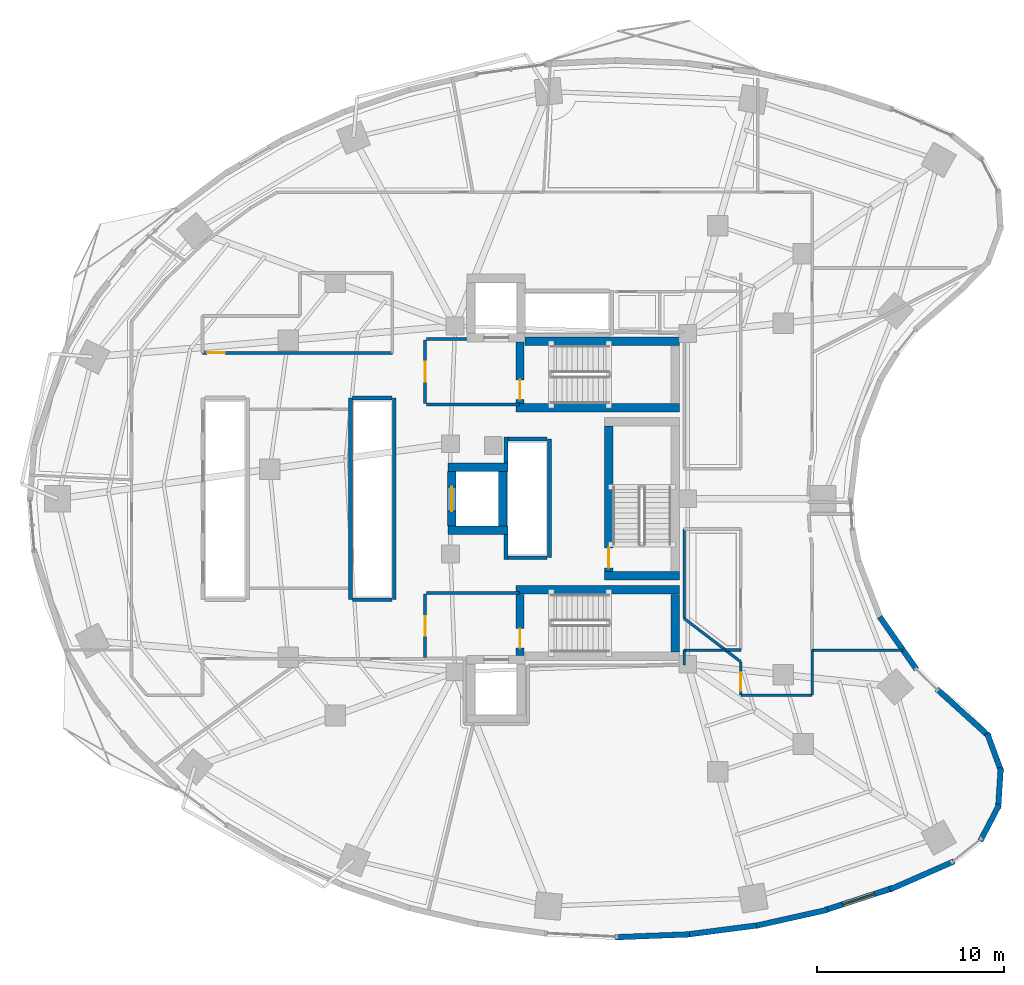
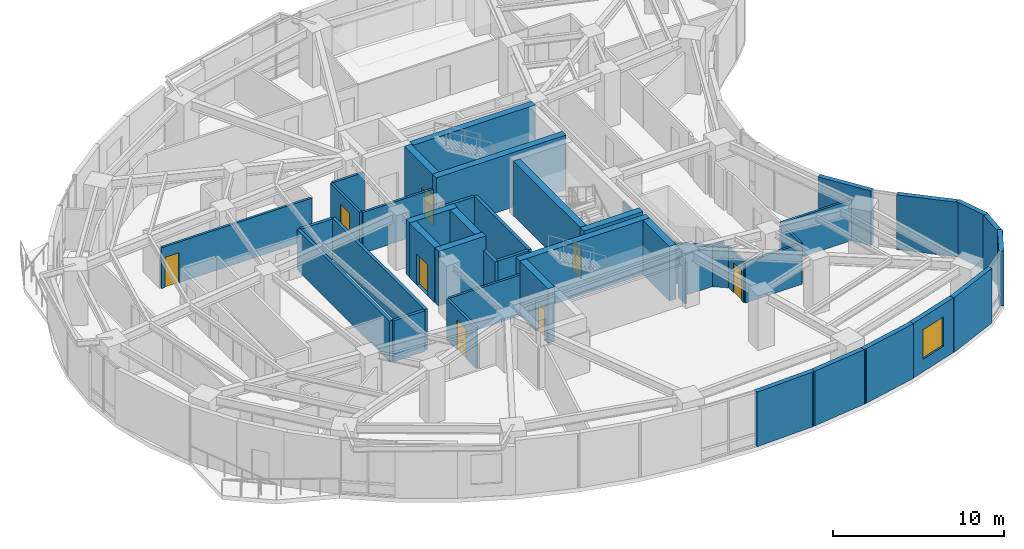
# One storey, part 9 of 15: 47 walls, 8 doors, 1 window, 9 openings.
"""IFC4 building model written with IfcOpenShell, lengths in metres."""

from ifc_helpers import new_model, si_unit, direction, frame, frame_2d, origin, place, context, subcontext, project, spatial, rectangle, extrude, material, layer, layer_set, type_object, element, fill, save


model = new_model("IFC4")

# Units and contexts
model_context = context("Model", 3, precision=1e-05, world=origin(), true_north=direction((0.0, 1.0)))
body_context = subcontext(model_context, "Body", "Model", "MODEL_VIEW")
ifc_project = project(units=[si_unit("LENGTHUNIT", "METRE"), si_unit("AREAUNIT", "SQUARE_METRE"), si_unit("VOLUMEUNIT", "CUBIC_METRE"), si_unit("PLANEANGLEUNIT", "RADIAN"), si_unit("MASSUNIT", "GRAM", prefix="KILO")], contexts=[model_context])

# Site, building, storey
site_placement = place(None, origin())
site = spatial("IfcSite", under=ifc_project, at=site_placement, CompositionType="ELEMENT")
building_placement = place(site_placement, origin())
building = spatial("IfcBuilding", under=site, at=building_placement, Name="Korentha Bioscience Tower", CompositionType="ELEMENT")
storey_placement = place(building_placement, frame((0.0, 0.0, 30.0)))
storey = spatial("IfcBuildingStorey", under=building, at=storey_placement, Name="L06", CompositionType="ELEMENT", Elevation=30.0)

# Wall, opening, door
ifc_material_1 = material(Name="Double-Stud Acoustic Gypsum", Category="gypsum")
ifc_layer_1 = layer(ifc_material_1, 0.14990234375, Name="Double-Stud Acoustic Gypsum")
ifc_layer_set_1 = layer_set([ifc_layer_1], Name="Double-Stud Acoustic Gypsum (IW-L150)")
wall_type_1 = type_object("IfcWallType", Name="Acoustic Laboratory Partition Wall 150", PredefinedType="PARTITIONING", material=ifc_layer_set_1)
wall_1_placement = place(storey_placement, frame((40.389892578125, 18.278076171875, 0.0), z_axis=(0.0, 0.0, 1.0), x_axis=(0.0, -1.0, 0.0)))
wall_1 = element("IfcWall", 1, at=wall_1_placement, inside=storey, type_object=wall_type_1, Name="L06 Ethics and Biosafety Briefing Room 05 Entrance Wall", PredefinedType="PARTITIONING", context=body_context, shape_type="SweptSolid", body=[
    extrude(rectangle(XDim=1.778076171875, YDim=0.14990234375, at=frame_2d((0.88916015625, 0.0))), origin(), (0.0, 0.0, 1.0), 2.909912109375),
])
opening_1_placement = place(wall_1_placement, frame((0.587890625, 0.0, 0.0)))
opening_1 = element("IfcOpeningElement", 2, at=opening_1_placement, cuts=wall_1, Name="Opening ID-10L", PredefinedType="OPENING", context=body_context, shape_type="SweptSolid", body=[
    extrude(rectangle(XDim=0.949951171875, YDim=2.14990234375, at=frame_2d((0.47509765625, 1.074951171875))), frame((0.0, 0.08984375, 0.0), z_axis=(0.0, -1.0, 0.0), x_axis=(1.0, 0.0, 0.0)), (0.0, 0.0, 1.0), 0.1796875),
])
ifc_material_2 = material(Name="Phenolic Laminate Timber Core", Category="wood")
door_type_1 = type_object("IfcDoorType", Name="Laboratory Single Leaf Door 950x2150 Left", OperationType="SINGLE_SWING_LEFT", PredefinedType="DOOR", material=ifc_material_2)
door_1_placement = place(opening_1_placement, origin())
door_1 = element("IfcDoor", 3, at=door_1_placement, inside=storey, type_object=door_type_1, Name="L06 Ethics and Biosafety Briefing Room 05 Door", OperationType="SINGLE_SWING_LEFT", OverallHeight=2.14990234375, OverallWidth=0.949951171875, PredefinedType="DOOR", context=body_context, shape_type="SweptSolid", body=[
    extrude(rectangle(XDim=0.949951171875, YDim=2.14990234375, at=frame_2d((0.47509765625, 1.074951171875))), frame((0.0, 0.02490234375, 0.0), z_axis=(0.0, -1.0, 0.0), x_axis=(1.0, 0.0, 0.0)), (0.0, 0.0, 1.0), 0.050048828125),
])
fill(opening_1, door_1)

wall_2_placement = place(storey_placement, frame((21.739990234375, 34.81005859375, 0.0), z_axis=(0.0, 0.0, 1.0), x_axis=(-1.0, 0.0, 0.0)))
wall_2 = element("IfcWall", 4, at=wall_2_placement, inside=storey, type_object=wall_type_1, Name="L06 Terrace View Refreshment Lounge 15 Entrance Wall", PredefinedType="PARTITIONING", context=body_context, shape_type="SweptSolid", body=[
    extrude(rectangle(XDim=10.14990234375, YDim=0.14990234375, at=frame_2d((5.074951171875, 0.0))), origin(), (0.0, 0.0, 1.0), 2.909912109375),
])
opening_2_placement = place(wall_2_placement, frame((8.9599609375, 0.0, 0.0)))
opening_2 = element("IfcOpeningElement", 5, at=opening_2_placement, cuts=wall_2, Name="Opening ID-10L", PredefinedType="OPENING", context=body_context, shape_type="SweptSolid", body=[
    extrude(rectangle(XDim=0.949951171875, YDim=2.14990234375, at=frame_2d((0.47509765625, 1.074951171875))), frame((0.0, 0.08984375, 0.0), z_axis=(0.0, -1.0, 0.0), x_axis=(1.0, 0.0, 0.0)), (0.0, 0.0, 1.0), 0.1796875),
])
door_2_placement = place(opening_2_placement, origin())
door_2 = element("IfcDoor", 6, at=door_2_placement, inside=storey, type_object=door_type_1, Name="L06 Terrace View Refreshment Lounge 15 Door", OperationType="SINGLE_SWING_LEFT", OverallHeight=2.14990234375, OverallWidth=0.949951171875, PredefinedType="DOOR", context=body_context, shape_type="SweptSolid", body=[
    extrude(rectangle(XDim=0.949951171875, YDim=2.14990234375, at=frame_2d((0.47509765625, 1.074951171875))), frame((0.0, 0.02490234375, 0.0), z_axis=(0.0, -1.0, 0.0), x_axis=(1.0, 0.0, 0.0)), (0.0, 0.0, 1.0), 0.050048828125),
])
fill(opening_2, door_2)

# Walls
wall_3_placement = place(storey_placement, frame((37.360107421875, 18.10009765625, 0.0), z_axis=(0.0, 0.0, 1.0), x_axis=(0.0, 1.0, 0.0)))
element("IfcWall", 7, at=wall_3_placement, inside=storey, type_object=wall_type_1, Name="L06 Interior Partition 033", PredefinedType="PARTITIONING", context=body_context, shape_type="SweptSolid", body=[
    extrude(rectangle(XDim=0.7978515625, YDim=0.14990234375, at=frame_2d((0.39892578125, 0.0))), origin(), (0.0, 0.0, 1.0), 2.909912109375),
])
wall_4_placement = place(storey_placement, frame((37.360107421875, 18.89794921875, 0.0), z_axis=(0.0, 0.0, 1.0), x_axis=(1.0, 0.0, 0.0)))
element("IfcWall", 8, at=wall_4_placement, inside=storey, type_object=wall_type_1, Name="L06 Interior Partition 034", PredefinedType="PARTITIONING", context=body_context, shape_type="SweptSolid", body=[
    extrude(rectangle(XDim=2.218017578125, YDim=0.14990234375, at=frame_2d((1.10888671875, 0.0))), origin(), (0.0, 0.0, 1.0), 2.909912109375),
])
wall_5_placement = place(storey_placement, frame((39.578369140625, 18.89794921875, 0.0), z_axis=(0.0, 0.0, 1.0), x_axis=(0.794690228638, -0.607015189684, 0.0)))
element("IfcWall", 9, at=wall_5_placement, inside=storey, type_object=wall_type_1, Name="L06 Interior Partition 035", PredefinedType="PARTITIONING", context=body_context, shape_type="SweptSolid", body=[
    extrude(rectangle(XDim=1.021240234375, YDim=0.14990234375, at=frame_2d((0.5107421875, 0.0))), origin(), (0.0, 0.0, 1.0), 2.909912109375),
])
wall_6_placement = place(storey_placement, frame((40.39990234375, 16.489990234375, 0.0), z_axis=(0.0, 0.0, 1.0), x_axis=(1.0, 0.0, 0.0)))
element("IfcWall", 10, at=wall_6_placement, inside=storey, type_object=wall_type_1, Name="L06 Interior Partition 036", PredefinedType="PARTITIONING", context=body_context, shape_type="SweptSolid", body=[
    extrude(rectangle(XDim=3.800048828125, YDim=0.14990234375, at=frame_2d((1.89990234375, 0.0))), origin(), (0.0, 0.0, 1.0), 2.909912109375),
])
wall_7_placement = place(storey_placement, frame((44.2099609375, 16.5, 0.0), z_axis=(0.0, 0.0, 1.0), x_axis=(0.0, 1.0, 0.0)))
element("IfcWall", 11, at=wall_7_placement, inside=storey, type_object=wall_type_1, Name="L06 Interior Partition 037", PredefinedType="PARTITIONING", context=body_context, shape_type="SweptSolid", body=[
    extrude(rectangle(XDim=2.39794921875, YDim=0.14990234375, at=frame_2d((1.198974609375, 0.0))), origin(), (0.0, 0.0, 1.0), 2.909912109375),
])
wall_8_placement = place(storey_placement, frame((44.2099609375, 18.89794921875, 0.0), z_axis=(0.0, 0.0, 1.0), x_axis=(1.0, 0.0, 0.0)))
element("IfcWall", 12, at=wall_8_placement, inside=storey, type_object=wall_type_1, Name="L06 Interior Partition 038", PredefinedType="PARTITIONING", context=body_context, shape_type="SweptSolid", body=[
    extrude(rectangle(XDim=4.855224609375, YDim=0.14990234375, at=frame_2d((2.427734375, 0.0))), origin(), (0.0, 0.0, 1.0), 2.909912109375),
])
wall_9_placement = place(storey_placement, frame((39.57177734375, 18.907958984375, 0.0), z_axis=(0.0, 0.0, 1.0), x_axis=(-0.794673946055, 0.607036505872, 0.0)))
element("IfcWall", 13, at=wall_9_placement, inside=storey, type_object=wall_type_1, Name="L06 Interior Partition 040", PredefinedType="PARTITIONING", context=body_context, shape_type="SweptSolid", body=[
    extrude(rectangle(XDim=2.783203125, YDim=0.14990234375, at=frame_2d((1.3916015625, 0.0))), origin(), (0.0, 0.0, 1.0), 2.909912109375),
])
wall_10_placement = place(storey_placement, frame((37.360107421875, 20.597412109375, 0.0), z_axis=(0.0, 0.0, 1.0), x_axis=(0.0, 1.0, 0.0)))
element("IfcWall", 14, at=wall_10_placement, inside=storey, type_object=wall_type_1, Name="L06 Interior Partition 041", PredefinedType="PARTITIONING", context=body_context, shape_type="SweptSolid", body=[
    extrude(rectangle(XDim=4.79248046875, YDim=0.14990234375, at=frame_2d((2.396240234375, 0.0))), origin(), (0.0, 0.0, 1.0), 2.909912109375),
])
wall_11_placement = place(storey_placement, frame((40.389892578125, 18.902099609375, 0.0), z_axis=(0.0, 0.0, 1.0), x_axis=(-1.0, 0.0, 0.0)))
element("IfcWall", 15, at=wall_11_placement, inside=storey, type_object=wall_type_1, Name="L06 Interior Partition 043", PredefinedType="PARTITIONING", context=body_context, shape_type="SweptSolid", body=[
    extrude(rectangle(XDim=0.80029296875, YDim=0.14990234375, at=frame_2d((0.400146484375, 0.0))), origin(), (0.0, 0.0, 1.0), 2.909912109375),
])

# Wall, opening, door
ifc_material_3 = material(Name="Gypsum-Clad Steel Stud", Category="steel")
ifc_layer_2 = layer(ifc_material_3, 0.159912109375, Name="Gypsum-Clad Steel Stud")
ifc_layer_set_2 = layer_set([ifc_layer_2], Name="Gypsum-Clad Steel Stud (IW-C160)")
wall_type_2 = type_object("IfcWallType", Name="Fire-Rated Corridor Partition Wall 160", PredefinedType="PARTITIONING", material=ifc_layer_set_2)
wall_12_placement = place(storey_placement, frame((23.5, 32.10009765625, 0.0), z_axis=(0.0, 0.0, 1.0), x_axis=(0.0, 1.0, 0.0)))
wall_12 = element("IfcWall", 16, at=wall_12_placement, inside=storey, type_object=wall_type_2, Name="L06 FFLN-CW Rated Enclosure Wall", PredefinedType="PARTITIONING", context=body_context, shape_type="SweptSolid", body=[
    extrude(rectangle(XDim=3.39990234375, YDim=0.159912109375, at=frame_2d((1.699951171875, 0.0))), origin(), (0.0, 0.0, 1.0), 2.909912109375),
])
opening_3_placement = place(wall_12_placement, frame((1.175048828125, 0.0, 0.0)))
opening_3 = element("IfcOpeningElement", 17, at=opening_3_placement, cuts=wall_12, Name="Opening FD-90R", PredefinedType="OPENING", context=body_context, shape_type="SweptSolid", body=[
    extrude(rectangle(XDim=1.050048828125, YDim=2.14990234375, at=frame_2d((0.52490234375, 1.074951171875))), frame((0.0, 0.0947265625, 0.0), z_axis=(0.0, -1.0, 0.0), x_axis=(1.0, 0.0, 0.0)), (0.0, 0.0, 1.0), 0.189697265625),
])
ifc_material_4 = material(Name="Powder-Coated Fire-Rated Steel", Category="steel")
door_type_2 = type_object("IfcDoorType", Name="Stairwell Fire Exit Door 1050x2150 Right", OperationType="SINGLE_SWING_RIGHT", PredefinedType="DOOR", material=ifc_material_4)
door_3_placement = place(opening_3_placement, origin())
door_3 = element("IfcDoor", 18, at=door_3_placement, inside=storey, type_object=door_type_2, Name="L06 North Firefighting Lobby Door", OperationType="SINGLE_SWING_RIGHT", OverallHeight=2.14990234375, OverallWidth=1.050048828125, PredefinedType="DOOR", context=body_context, shape_type="SweptSolid", body=[
    extrude(rectangle(XDim=1.050048828125, YDim=2.14990234375, at=frame_2d((0.52490234375, 1.074951171875))), frame((0.0, 0.02490234375, 0.0), z_axis=(0.0, -1.0, 0.0), x_axis=(1.0, 0.0, 0.0)), (0.0, 0.0, 1.0), 0.050048828125),
])
fill(opening_3, door_3)

wall_13_placement = place(storey_placement, frame((23.5, 18.5, 0.0), z_axis=(0.0, 0.0, 1.0), x_axis=(0.0, 1.0, 0.0)))
wall_13 = element("IfcWall", 19, at=wall_13_placement, inside=storey, type_object=wall_type_2, Name="L06 FFLS-CW Rated Enclosure Wall", PredefinedType="PARTITIONING", context=body_context, shape_type="SweptSolid", body=[
    extrude(rectangle(XDim=3.39990234375, YDim=0.159912109375, at=frame_2d((1.699951171875, 0.0))), origin(), (0.0, 0.0, 1.0), 2.909912109375),
])
opening_4_placement = place(wall_13_placement, frame((1.175048828125, 0.0, 0.0)))
opening_4 = element("IfcOpeningElement", 20, at=opening_4_placement, cuts=wall_13, Name="Opening FD-90R", PredefinedType="OPENING", context=body_context, shape_type="SweptSolid", body=[
    extrude(rectangle(XDim=1.050048828125, YDim=2.14990234375, at=frame_2d((0.52490234375, 1.074951171875))), frame((0.0, 0.0947265625, 0.0), z_axis=(0.0, -1.0, 0.0), x_axis=(1.0, 0.0, 0.0)), (0.0, 0.0, 1.0), 0.189697265625),
])
door_4_placement = place(opening_4_placement, origin())
door_4 = element("IfcDoor", 21, at=door_4_placement, inside=storey, type_object=door_type_2, Name="L06 South Firefighting Lobby Door", OperationType="SINGLE_SWING_RIGHT", OverallHeight=2.14990234375, OverallWidth=1.050048828125, PredefinedType="DOOR", context=body_context, shape_type="SweptSolid", body=[
    extrude(rectangle(XDim=1.050048828125, YDim=2.14990234375, at=frame_2d((0.52490234375, 1.074951171875))), frame((0.0, 0.02490234375, 0.0), z_axis=(0.0, -1.0, 0.0), x_axis=(1.0, 0.0, 0.0)), (0.0, 0.0, 1.0), 0.050048828125),
])
fill(opening_4, door_4)

# Walls
wall_14_placement = place(storey_placement, frame((23.580078125, 32.050048828125, 0.0), z_axis=(0.0, 0.0, 1.0), x_axis=(1.0, 0.0, 0.0)))
element("IfcWall", 22, at=wall_14_placement, inside=storey, type_object=wall_type_2, Name="L06 Firefighting Lobby Return Wall FFLN-S", PredefinedType="PARTITIONING", context=body_context, shape_type="SweptSolid", body=[
    extrude(rectangle(XDim=4.969970703125, YDim=0.159912109375, at=frame_2d((2.48486328125, 0.0))), origin(), (0.0, 0.0, 1.0), 2.909912109375),
])
wall_15_placement = place(storey_placement, frame((23.580078125, 35.550048828125, 0.0), z_axis=(0.0, 0.0, 1.0), x_axis=(1.0, 0.0, 0.0)))
element("IfcWall", 23, at=wall_15_placement, inside=storey, type_object=wall_type_2, Name="L06 Firefighting Lobby Return Wall FFLN-N", PredefinedType="PARTITIONING", context=body_context, shape_type="SweptSolid", body=[
    extrude(rectangle(XDim=2.119873046875, YDim=0.159912109375, at=frame_2d((1.06005859375, 0.0))), origin(), (0.0, 0.0, 1.0), 2.909912109375),
])
wall_16_placement = place(storey_placement, frame((23.580078125, 21.949951171875, 0.0), z_axis=(0.0, 0.0, 1.0), x_axis=(1.0, 0.0, 0.0)))
element("IfcWall", 24, at=wall_16_placement, inside=storey, type_object=wall_type_2, Name="L06 Firefighting Lobby Return Wall FFLS-N", PredefinedType="PARTITIONING", context=body_context, shape_type="SweptSolid", body=[
    extrude(rectangle(XDim=4.969970703125, YDim=0.159912109375, at=frame_2d((2.48486328125, 0.0))), origin(), (0.0, 0.0, 1.0), 2.909912109375),
])

# Wall, opening, window
ifc_material_5 = material(Name="Honed Limestone Precast Concrete C40", Category="masonry")
ifc_layer_3 = layer(ifc_material_5, 0.300048828125, Name="Honed Limestone Precast Concrete C40")
ifc_layer_set_3 = layer_set([ifc_layer_3], Name="Honed Limestone Precast Concrete C40 (EW-ST300)")
wall_type_3 = type_object("IfcWallType", Name="Honed Limestone Cavity Spandrel Wall 300", PredefinedType="STANDARD", material=ifc_layer_set_3)
wall_17_placement = place(storey_placement, frame((44.885498046875, 4.98828125, 0.0), z_axis=(0.0, 0.0, 1.0), x_axis=(0.950958033078, 0.30931993037, 0.0)))
wall_17 = element("IfcWall", 25, at=wall_17_placement, inside=storey, type_object=wall_type_3, Name="L06 Honed Limestone Spandrel Wall 35", PredefinedType="STANDARD", context=body_context, shape_type="SweptSolid", body=[
    extrude(rectangle(XDim=3.80029296875, YDim=0.300048828125, at=frame_2d((1.900146484375, 0.0))), origin(), (0.0, 0.0, 1.0), 3.89990234375),
])
opening_5_placement = place(wall_17_placement, frame((1.0, 0.0, 0.89990234375)))
opening_5 = element("IfcOpeningElement", 26, at=opening_5_placement, cuts=wall_17, Name="Opening WN-01", PredefinedType="OPENING", context=body_context, shape_type="SweptSolid", body=[
    extrude(rectangle(XDim=1.800048828125, YDim=2.10009765625, at=frame_2d((0.89990234375, 1.050048828125))), frame((0.0, 0.1650390625, 0.0), z_axis=(0.0, -1.0, 0.0), x_axis=(1.0, 0.0, 0.0)), (0.0, 0.0, 1.0), 0.329833984375),
])
ifc_material_6 = material(Name="Thermally Broken Aluminium Triple Glazing", Category="aluminium")
window_type = type_object("IfcWindowType", Name="Triple-Glazed Fixed Bioscience Window 1800x2100", PartitioningType="SINGLE_PANEL", PredefinedType="WINDOW", material=ifc_material_6)
window_placement = place(opening_5_placement, origin())
window = element("IfcWindow", 27, at=window_placement, inside=storey, type_object=window_type, Name="L06 Facade Window 35", OverallHeight=2.10009765625, OverallWidth=1.800048828125, PartitioningType="SINGLE_PANEL", PredefinedType="WINDOW", context=body_context, shape_type="SweptSolid", body=[
    extrude(rectangle(XDim=1.800048828125, YDim=2.10009765625, at=frame_2d((0.89990234375, 1.050048828125))), frame((0.0, 0.030029296875, 0.0), z_axis=(0.0, -1.0, 0.0), x_axis=(1.0, 0.0, 0.0)), (0.0, 0.0, 1.0), 0.06005859375),
])
fill(opening_5, window)

# Walls
wall_18_placement = place(storey_placement, frame((33.66796875, 3.53759765625, 0.0), z_axis=(0.0, 0.0, 1.0), x_axis=(0.999245411623, 0.038840794937, 0.0)))
element("IfcWall", 28, at=wall_18_placement, inside=storey, type_object=wall_type_3, Name="L06 Limestone Perimeter Closure Wall 32", PredefinedType="STANDARD", context=body_context, shape_type="SweptSolid", body=[
    extrude(rectangle(XDim=3.978759765625, YDim=0.300048828125, at=frame_2d((1.9892578125, 0.0))), origin(), (0.0, 0.0, 1.0), 3.89990234375),
])
wall_19_placement = place(storey_placement, frame((37.471923828125, 3.677734375, 0.0), z_axis=(0.0, 0.0, 1.0), x_axis=(0.991734095036, 0.128310111617, 0.0)))
element("IfcWall", 29, at=wall_19_placement, inside=storey, type_object=wall_type_3, Name="L06 Limestone Perimeter Closure Wall 33", PredefinedType="STANDARD", context=body_context, shape_type="SweptSolid", body=[
    extrude(rectangle(XDim=3.955810546875, YDim=0.300048828125, at=frame_2d((1.97802734375, 0.0))), origin(), (0.0, 0.0, 1.0), 3.89990234375),
])
wall_20_placement = place(storey_placement, frame((41.22509765625, 4.1552734375, 0.0), z_axis=(0.0, 0.0, 1.0), x_axis=(0.975868573345, 0.218358713032, 0.0)))
element("IfcWall", 30, at=wall_20_placement, inside=storey, type_object=wall_type_3, Name="L06 Limestone Perimeter Closure Wall 34", PredefinedType="STANDARD", context=body_context, shape_type="SweptSolid", body=[
    extrude(rectangle(XDim=3.90869140625, YDim=0.300048828125, at=frame_2d((1.954345703125, 0.0))), origin(), (0.0, 0.0, 1.0), 3.89990234375),
])
wall_21_placement = place(storey_placement, frame((48.3623046875, 6.089111328125, 0.0), z_axis=(0.0, 0.0, 1.0), x_axis=(0.915945168042, 0.401303437738, 0.0)))
element("IfcWall", 31, at=wall_21_placement, inside=storey, type_object=wall_type_3, Name="L06 Limestone Perimeter Closure Wall 36", PredefinedType="STANDARD", context=body_context, shape_type="SweptSolid", body=[
    extrude(rectangle(XDim=3.75244140625, YDim=0.300048828125, at=frame_2d((1.876220703125, 0.0))), origin(), (0.0, 0.0, 1.0), 3.89990234375),
])
wall_22_placement = place(storey_placement, frame((53.20751953125, 8.691650390625, 0.0), z_axis=(0.0, 0.0, 1.0), x_axis=(0.463035066673, 0.886339961319, 0.0)))
element("IfcWall", 32, at=wall_22_placement, inside=storey, type_object=wall_type_3, Name="L06 Limestone Perimeter Closure Wall 38", PredefinedType="STANDARD", context=body_context, shape_type="SweptSolid", body=[
    extrude(rectangle(XDim=2.1875, YDim=0.300048828125, at=frame_2d((1.09375, 0.0))), origin(), (0.0, 0.0, 1.0), 3.89990234375),
])
for number, where, z_axis, x_axis, name in (
    (33, (54.16259765625, 10.42431640625, 0.0), (0.0, 0.0, 1.0), (0.064615302336, 0.99791024782, 0.0), "L06 Limestone Perimeter Closure Wall 39"),
    (34, (54.334716796875, 12.39501953125, 0.0), (0.0, 0.0, 1.0), (-0.344939866054, 0.938624785954, 0.0), "L06 Limestone Perimeter Closure Wall 40"),
):
    element("IfcWall", number, at=place(storey_placement, frame(where, z_axis=z_axis, x_axis=x_axis)), inside=storey, type_object=wall_type_3, Name=name, PredefinedType="STANDARD", context=body_context, shape_type="SweptSolid", body=[
        extrude(rectangle(XDim=2.187744140625, YDim=0.300048828125, at=frame_2d((1.09375, 0.0))), origin(), (0.0, 0.0, 1.0), 3.89990234375),
    ])
wall_23_placement = place(storey_placement, frame((53.704345703125, 14.26416015625, 0.0), z_axis=(0.0, 0.0, 1.0), x_axis=(-0.74117794387, 0.671308614216, 0.0)))
element("IfcWall", 35, at=wall_23_placement, inside=storey, type_object=wall_type_3, Name="L06 Limestone Perimeter Closure Wall 41", PredefinedType="STANDARD", context=body_context, shape_type="SweptSolid", body=[
    extrude(rectangle(XDim=3.815673828125, YDim=0.300048828125, at=frame_2d((1.90771484375, 0.0))), origin(), (0.0, 0.0, 1.0), 3.89990234375),
])
wall_24_placement = place(storey_placement, frame((49.79248046875, 17.8779296875, 0.0), z_axis=(0.0, 0.0, 1.0), x_axis=(-0.573576992806, 0.819151654655, 0.0)))
element("IfcWall", 36, at=wall_24_placement, inside=storey, type_object=wall_type_3, Name="L06 Limestone Perimeter Closure Wall 44", PredefinedType="STANDARD", context=body_context, shape_type="SweptSolid", body=[
    extrude(rectangle(XDim=3.429931640625, YDim=0.300048828125, at=frame_2d((1.71484375, 0.0))), origin(), (0.0, 0.0, 1.0), 3.89990234375),
])
ifc_material_7 = material(Name="Autoclaved Aerated Concrete Block C25", Category="concrete")
ifc_layer_4 = layer(ifc_material_7, 0.199951171875, Name="Autoclaved Aerated Concrete Block C25")
ifc_layer_set_4 = layer_set([ifc_layer_4], Name="Autoclaved Aerated Concrete Block C25 (IW-S200)")
wall_type_4 = type_object("IfcWallType", Name="Lift and Riser Shaft Enclosure Wall 200", PredefinedType="PARTITIONING", material=ifc_layer_set_4)
for number, where, z_axis, x_axis, name in (
    (37, (19.5, 21.60009765625, 0.0), (0.0, 0.0, 1.0), (0.0, 1.0, 0.0), "L06 Lift Bank MID Shaft Wall -X"),
    (38, (21.85009765625, 21.60009765625, 0.0), (0.0, 0.0, 1.0), (0.0, 1.0, 0.0), "L06 Lift Bank MID Shaft Wall +X"),
):
    element("IfcWall", number, at=place(storey_placement, frame(where, z_axis=z_axis, x_axis=x_axis)), inside=storey, type_object=wall_type_4, Name=name, PredefinedType="PARTITIONING", context=body_context, shape_type="SweptSolid", body=[
        extrude(rectangle(XDim=10.7998046875, YDim=0.199951171875, at=frame_2d((5.39990234375, 0.0))), origin(), (0.0, 0.0, 1.0), 2.909912109375),
    ])
for number, where, z_axis, x_axis, name in (
    (39, (19.6201171875, 21.60009765625, 0.0), (0.0, 0.0, 1.0), (1.0, 0.0, 0.0), "L06 Lift Bank MID Shaft Wall -Y"),
    (40, (19.6201171875, 32.39990234375, 0.0), (0.0, 0.0, 1.0), (1.0, 0.0, 0.0), "L06 Lift Bank MID Shaft Wall +Y"),
):
    element("IfcWall", number, at=place(storey_placement, frame(where, z_axis=z_axis, x_axis=x_axis)), inside=storey, type_object=wall_type_4, Name=name, PredefinedType="PARTITIONING", context=body_context, shape_type="SweptSolid", body=[
        extrude(rectangle(XDim=2.10986328125, YDim=0.199951171875, at=frame_2d((1.054931640625, 0.0))), origin(), (0.0, 0.0, 1.0), 2.909912109375),
    ])
wall_25_placement = place(storey_placement, frame((27.830078125, 23.75, 0.0), z_axis=(0.0, 0.0, 1.0), x_axis=(0.0, 1.0, 0.0)))
element("IfcWall", 41, at=wall_25_placement, inside=storey, type_object=wall_type_4, Name="L06 Lift Bank HIGH Shaft Wall -XS", PredefinedType="PARTITIONING", context=body_context, shape_type="SweptSolid", body=[
    extrude(rectangle(XDim=1.341064453125, YDim=0.199951171875, at=frame_2d((0.67041015625, 0.0))), origin(), (0.0, 0.0, 1.0), 2.909912109375),
])
wall_26_placement = place(storey_placement, frame((27.830078125, 28.908935546875, 0.0), z_axis=(0.0, 0.0, 1.0), x_axis=(0.0, 1.0, 0.0)))
element("IfcWall", 42, at=wall_26_placement, inside=storey, type_object=wall_type_4, Name="L06 Lift Bank HIGH Shaft Wall -XN", PredefinedType="PARTITIONING", context=body_context, shape_type="SweptSolid", body=[
    extrude(rectangle(XDim=1.39111328125, YDim=0.199951171875, at=frame_2d((0.695556640625, 0.0))), origin(), (0.0, 0.0, 1.0), 2.909912109375),
])
wall_27_placement = place(storey_placement, frame((30.14990234375, 23.85009765625, 0.0), z_axis=(0.0, 0.0, 1.0), x_axis=(0.0, 1.0, 0.0)))
element("IfcWall", 43, at=wall_27_placement, inside=storey, type_object=wall_type_4, Name="L06 Lift Bank HIGH Shaft Wall +X", PredefinedType="PARTITIONING", context=body_context, shape_type="SweptSolid", body=[
    extrude(rectangle(XDim=6.349853515625, YDim=0.199951171875, at=frame_2d((3.1748046875, 0.0))), origin(), (0.0, 0.0, 1.0), 2.909912109375),
])
for number, where, z_axis, x_axis, name in (
    (44, (27.93408203125, 23.85009765625, 0.0), (0.0, 0.0, 1.0), (1.0, 0.0, 0.0), "L06 Lift Bank HIGH Shaft Wall -Y"),
    (45, (27.93408203125, 30.199951171875, 0.0), (0.0, 0.0, 1.0), (1.0, 0.0, 0.0), "L06 Lift Bank HIGH Shaft Wall +Y"),
):
    element("IfcWall", number, at=place(storey_placement, frame(where, z_axis=z_axis, x_axis=x_axis)), inside=storey, type_object=wall_type_4, Name=name, PredefinedType="PARTITIONING", context=body_context, shape_type="SweptSolid", body=[
        extrude(rectangle(XDim=2.095947265625, YDim=0.199951171875, at=frame_2d((1.0478515625, 0.0))), origin(), (0.0, 0.0, 1.0), 2.909912109375),
    ])
ifc_material_8 = material(Name="Concrete C80", Category="concrete")
ifc_layer_5 = layer(ifc_material_8, 0.449951171875, Name="Concrete C80")
ifc_layer_set_5 = layer_set([ifc_layer_5], Name="Concrete C80 (CW-C80)")
wall_type_5 = type_object("IfcWallType", Name="Lower Core Shear Wall 450", PredefinedType="SHEAR", material=ifc_layer_set_5)
wall_28_placement = place(storey_placement, frame((28.85205078125, 35.425048828125, 0.0), z_axis=(0.0, 0.0, 1.0), x_axis=(1.0, 0.0, 0.0)))
element("IfcWall", 46, at=wall_28_placement, inside=storey, type_object=wall_type_5, Name="L06 Core Shear Wall ST1-N", PredefinedType="SHEAR", context=body_context, shape_type="SweptSolid", body=[
    extrude(rectangle(XDim=8.248046875, YDim=0.449951171875, at=frame_2d((4.1240234375, 0.0))), origin(), (0.0, 0.0, 1.0), 3.89990234375),
])
wall_29_placement = place(storey_placement, frame((28.35009765625, 31.875, 0.0), z_axis=(0.0, 0.0, 1.0), x_axis=(1.0, 0.0, 0.0)))
element("IfcWall", 47, at=wall_29_placement, inside=storey, type_object=wall_type_5, Name="L06 Core Shear Wall ST1-S", PredefinedType="SHEAR", context=body_context, shape_type="SweptSolid", body=[
    extrude(rectangle(XDim=8.75, YDim=0.449951171875, at=frame_2d((4.375, 0.0))), origin(), (0.0, 0.0, 1.0), 3.89990234375),
])

# Wall, opening, door
wall_30_placement = place(storey_placement, frame((28.574951171875, 32.110107421875, 0.0), z_axis=(0.0, 0.0, 1.0), x_axis=(0.0, 1.0, 0.0)))
wall_30 = element("IfcWall", 48, at=wall_30_placement, inside=storey, type_object=wall_type_5, Name="L06 Core Shear Wall ST1-W", PredefinedType="SHEAR", context=body_context, shape_type="SweptSolid", body=[
    extrude(rectangle(XDim=3.282958984375, YDim=0.449951171875, at=frame_2d((1.6416015625, 0.0))), origin(), (0.0, 0.0, 1.0), 3.89990234375),
])
opening_6_placement = place(wall_30_placement, frame((0.199951171875, 0.0, 0.0)))
opening_6 = element("IfcOpeningElement", 49, at=opening_6_placement, cuts=wall_30, Name="Opening FD-90R", PredefinedType="OPENING", context=body_context, shape_type="SweptSolid", body=[
    extrude(rectangle(XDim=1.050048828125, YDim=2.14990234375, at=frame_2d((0.52490234375, 1.074951171875))), frame((0.0, 0.23974609375, 0.0), z_axis=(0.0, -1.0, 0.0), x_axis=(1.0, 0.0, 0.0)), (0.0, 0.0, 1.0), 0.479736328125),
])
door_5_placement = place(opening_6_placement, origin())
door_5 = element("IfcDoor", 50, at=door_5_placement, inside=storey, type_object=door_type_2, Name="L06 ST-1 Fire Exit Stair Door", OperationType="SINGLE_SWING_RIGHT", OverallHeight=2.14990234375, OverallWidth=1.050048828125, PredefinedType="DOOR", context=body_context, shape_type="SweptSolid", body=[
    extrude(rectangle(XDim=1.050048828125, YDim=2.14990234375, at=frame_2d((0.52490234375, 1.074951171875))), frame((0.0, 0.02490234375, 0.0), z_axis=(0.0, -1.0, 0.0), x_axis=(1.0, 0.0, 0.0)), (0.0, 0.0, 1.0), 0.050048828125),
])
fill(opening_6, door_5)

# Walls
wall_31_placement = place(storey_placement, frame((28.35009765625, 22.125, 0.0), z_axis=(0.0, 0.0, 1.0), x_axis=(1.0, 0.0, 0.0)))
element("IfcWall", 51, at=wall_31_placement, inside=storey, type_object=wall_type_5, Name="L06 Core Shear Wall ST2-N", PredefinedType="SHEAR", context=body_context, shape_type="SweptSolid", body=[
    extrude(rectangle(XDim=8.75, YDim=0.449951171875, at=frame_2d((4.375, 0.0))), origin(), (0.0, 0.0, 1.0), 3.89990234375),
])
wall_32_placement = place(storey_placement, frame((36.875, 18.81005859375, 0.0), z_axis=(0.0, 0.0, 1.0), x_axis=(0.0, 1.0, 0.0)))
element("IfcWall", 52, at=wall_32_placement, inside=storey, type_object=wall_type_5, Name="L06 Core Shear Wall ST2-E", PredefinedType="SHEAR", context=body_context, shape_type="SweptSolid", body=[
    extrude(rectangle(XDim=3.079833984375, YDim=0.449951171875, at=frame_2d((1.5400390625, 0.0))), origin(), (0.0, 0.0, 1.0), 3.89990234375),
])

# Wall, opening, door
wall_33_placement = place(storey_placement, frame((28.574951171875, 18.60693359375, 0.0), z_axis=(0.0, 0.0, 1.0), x_axis=(0.0, 1.0, 0.0)))
wall_33 = element("IfcWall", 53, at=wall_33_placement, inside=storey, type_object=wall_type_5, Name="L06 Core Shear Wall ST2-W", PredefinedType="SHEAR", context=body_context, shape_type="SweptSolid", body=[
    extrude(rectangle(XDim=3.282958984375, YDim=0.449951171875, at=frame_2d((1.6416015625, 0.0))), origin(), (0.0, 0.0, 1.0), 3.89990234375),
])
opening_7_placement = place(wall_33_placement, frame((0.403076171875, 0.0, 0.0)))
opening_7 = element("IfcOpeningElement", 54, at=opening_7_placement, cuts=wall_33, Name="Opening FD-90R", PredefinedType="OPENING", context=body_context, shape_type="SweptSolid", body=[
    extrude(rectangle(XDim=1.050048828125, YDim=2.14990234375, at=frame_2d((0.52490234375, 1.074951171875))), frame((0.0, 0.23974609375, 0.0), z_axis=(0.0, -1.0, 0.0), x_axis=(1.0, 0.0, 0.0)), (0.0, 0.0, 1.0), 0.479736328125),
])
door_6_placement = place(opening_7_placement, origin())
door_6 = element("IfcDoor", 55, at=door_6_placement, inside=storey, type_object=door_type_2, Name="L06 ST-2 Fire Exit Stair Door", OperationType="SINGLE_SWING_RIGHT", OverallHeight=2.14990234375, OverallWidth=1.050048828125, PredefinedType="DOOR", context=body_context, shape_type="SweptSolid", body=[
    extrude(rectangle(XDim=1.050048828125, YDim=2.14990234375, at=frame_2d((0.52490234375, 1.074951171875))), frame((0.0, 0.02490234375, 0.0), z_axis=(0.0, -1.0, 0.0), x_axis=(1.0, 0.0, 0.0)), (0.0, 0.0, 1.0), 0.050048828125),
])
fill(opening_7, door_6)

# Wall
wall_34_placement = place(storey_placement, frame((33.10009765625, 22.875, 0.0), z_axis=(0.0, 0.0, 1.0), x_axis=(1.0, 0.0, 0.0)))
element("IfcWall", 56, at=wall_34_placement, inside=storey, type_object=wall_type_5, Name="L06 Core Shear Wall ST3-S", PredefinedType="SHEAR", context=body_context, shape_type="SweptSolid", body=[
    extrude(rectangle(XDim=4.0, YDim=0.449951171875, at=frame_2d((2.0, 0.0))), origin(), (0.0, 0.0, 1.0), 3.89990234375),
])

# Wall, opening, door
wall_35_placement = place(storey_placement, frame((33.324951171875, 23.110107421875, 0.0), z_axis=(0.0, 0.0, 1.0), x_axis=(0.0, 1.0, 0.0)))
wall_35 = element("IfcWall", 57, at=wall_35_placement, inside=storey, type_object=wall_type_5, Name="L06 Core Shear Wall ST3-W", PredefinedType="SHEAR", context=body_context, shape_type="SweptSolid", body=[
    extrude(rectangle(XDim=7.77978515625, YDim=0.449951171875, at=frame_2d((3.889892578125, 0.0))), origin(), (0.0, 0.0, 1.0), 3.89990234375),
])
opening_8_placement = place(wall_35_placement, frame((0.199951171875, 0.0, 0.0)))
opening_8 = element("IfcOpeningElement", 58, at=opening_8_placement, cuts=wall_35, Name="Opening FD-90R", PredefinedType="OPENING", context=body_context, shape_type="SweptSolid", body=[
    extrude(rectangle(XDim=1.050048828125, YDim=2.14990234375, at=frame_2d((0.52490234375, 1.074951171875))), frame((0.0, 0.23974609375, 0.0), z_axis=(0.0, -1.0, 0.0), x_axis=(1.0, 0.0, 0.0)), (0.0, 0.0, 1.0), 0.479736328125),
])
door_7_placement = place(opening_8_placement, origin())
door_7 = element("IfcDoor", 59, at=door_7_placement, inside=storey, type_object=door_type_2, Name="L06 ST-3 Fire Exit Stair Door", OperationType="SINGLE_SWING_RIGHT", OverallHeight=2.14990234375, OverallWidth=1.050048828125, PredefinedType="DOOR", context=body_context, shape_type="SweptSolid", body=[
    extrude(rectangle(XDim=1.050048828125, YDim=2.14990234375, at=frame_2d((0.52490234375, 1.074951171875))), frame((0.0, 0.02490234375, 0.0), z_axis=(0.0, -1.0, 0.0), x_axis=(1.0, 0.0, 0.0)), (0.0, 0.0, 1.0), 0.050048828125),
])
fill(opening_8, door_7)

# Walls
for number, where, z_axis, x_axis, name in (
    (60, (24.719970703125, 28.679931640625, 0.0), (0.0, 0.0, 1.0), (1.0, 0.0, 0.0), "L06 Core Shear Wall SVL1-N"),
    (61, (24.719970703125, 25.320068359375, 0.0), (0.0, 0.0, 1.0), (1.0, 0.0, 0.0), "L06 Core Shear Wall SVL1-S"),
):
    element("IfcWall", number, at=place(storey_placement, frame(where, z_axis=z_axis, x_axis=x_axis)), inside=storey, type_object=wall_type_5, Name=name, PredefinedType="SHEAR", context=body_context, shape_type="SweptSolid", body=[
        extrude(rectangle(XDim=3.2099609375, YDim=0.449951171875, at=frame_2d((1.60498046875, 0.0))), origin(), (0.0, 0.0, 1.0), 3.89990234375),
    ])

# Wall, opening, door
wall_36_placement = place(storey_placement, frame((24.919921875, 25.547119140625, 0.0), z_axis=(0.0, 0.0, 1.0), x_axis=(0.0, 1.0, 0.0)))
wall_36 = element("IfcWall", 62, at=wall_36_placement, inside=storey, type_object=wall_type_5, Name="L06 Core Shear Wall SVL1-W", PredefinedType="SHEAR", context=body_context, shape_type="SweptSolid", body=[
    extrude(rectangle(XDim=2.90576171875, YDim=0.449951171875, at=frame_2d((1.452880859375, 0.0))), origin(), (0.0, 0.0, 1.0), 3.89990234375),
])
opening_9_placement = place(wall_36_placement, frame((0.7900390625, 0.0, 0.0)))
opening_9 = element("IfcOpeningElement", 63, at=opening_9_placement, cuts=wall_36, Name="Opening LD-13", PredefinedType="OPENING", context=body_context, shape_type="SweptSolid", body=[
    extrude(rectangle(XDim=1.300048828125, YDim=2.199951171875, at=frame_2d((0.64990234375, 1.10009765625))), frame((0.0, 0.23974609375, 0.0), z_axis=(0.0, -1.0, 0.0), x_axis=(1.0, 0.0, 0.0)), (0.0, 0.0, 1.0), 0.479736328125),
])
ifc_material_9 = material(Name="Brushed Stainless Steel 316", Category="steel")
door_type_3 = type_object("IfcDoorType", Name="Service & Firefighting Lift Landing Door 1300x2300", OperationType="DOUBLE_DOOR_SLIDING", PredefinedType="DOOR", material=ifc_material_9)
door_8_placement = place(opening_9_placement, origin())
door_8 = element("IfcDoor", 64, at=door_8_placement, inside=storey, type_object=door_type_3, Name="L06 SVL-1 Sliding Lift Landing Door", OperationType="DOUBLE_DOOR_SLIDING", OverallHeight=2.199951171875, OverallWidth=1.300048828125, PredefinedType="DOOR", context=body_context, shape_type="SweptSolid", body=[
    extrude(rectangle(XDim=1.300048828125, YDim=2.199951171875, at=frame_2d((0.64990234375, 1.10009765625))), frame((0.0, 0.02490234375, 0.0), z_axis=(0.0, -1.0, 0.0), x_axis=(1.0, 0.0, 0.0)), (0.0, 0.0, 1.0), 0.050048828125),
])
fill(opening_9, door_8)

# Wall
wall_37_placement = place(storey_placement, frame((27.64990234375, 25.547119140625, 0.0), z_axis=(0.0, 0.0, 1.0), x_axis=(0.0, 1.0, 0.0)))
element("IfcWall", 65, at=wall_37_placement, inside=storey, type_object=wall_type_5, Name="L06 Core Shear Wall SVL1-E", PredefinedType="SHEAR", context=body_context, shape_type="SweptSolid", body=[
    extrude(rectangle(XDim=2.90576171875, YDim=0.449951171875, at=frame_2d((1.452880859375, 0.0))), origin(), (0.0, 0.0, 1.0), 3.89990234375),
])

save(model, "model.ifc")
